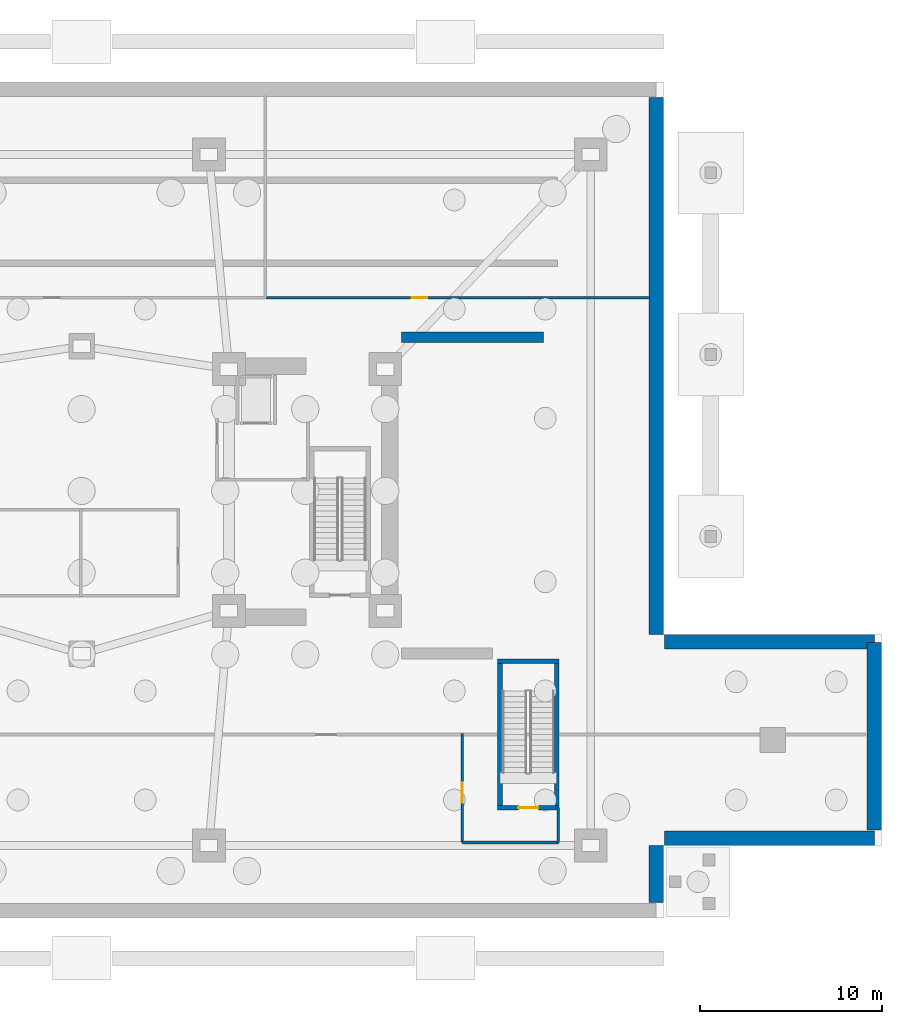
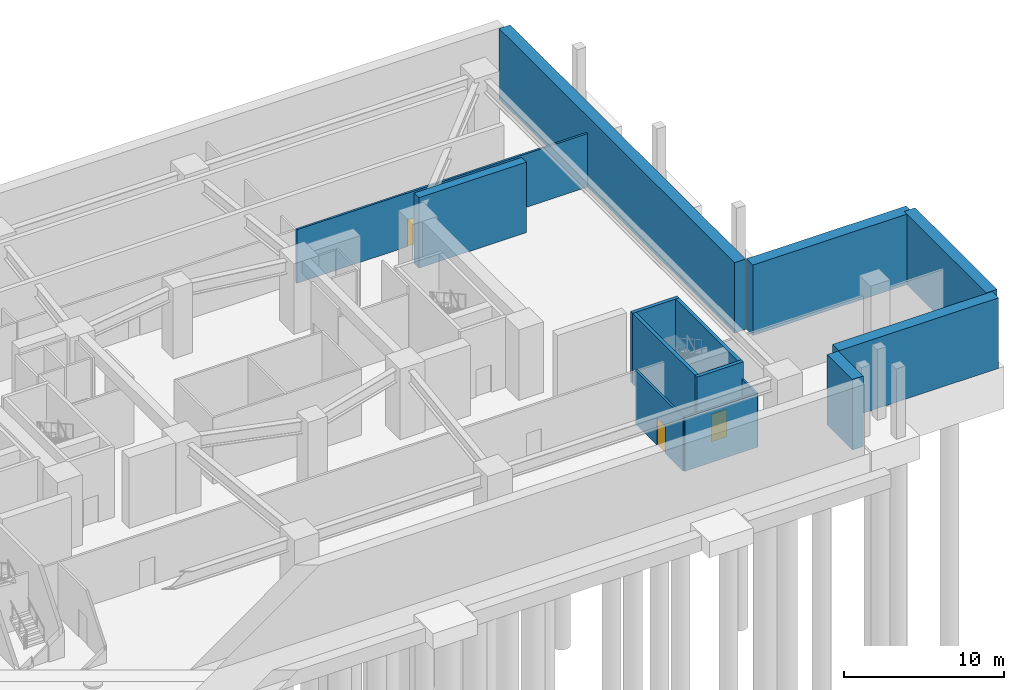
# One storey, part 5 of 9: 14 walls, 3 doors, 3 openings.
"""IFC4 building model written with IfcOpenShell, lengths in metres."""

import ifcopenshell
import ifcopenshell.guid

model = None  # the IFC model being written
_history = None  # IfcOwnerHistory: only IFC2X3 demands one
_inside = {}  # id of a spatial element -> (the spatial element, [elements in it])
_under = {}  # id of a project, library or spatial element -> (it, [spatial elements below it])
_declared = {}  # id of a project -> (the project, [libraries it declares])
_typed = {}  # id of a type object -> (the type object, [elements of that type])
_made_of = {}  # id of a material, layer set ... -> (it, [elements and type objects made of it])


def new_model(schema):
    """Start an empty IFC model of exactly this schema.

    Asked for "IFC4X3", IfcOpenShell would pick the latest addendum, in which some entities
    have other attributes; the version numbers below select the first issue.
    IFC2X3 requires an IfcOwnerHistory on every rooted entity: one is made here for all.
    """
    global model, _history
    if schema == "IFC4X3":
        model = ifcopenshell.file(schema_version=(4, 3, 0, 0))
    else:
        model = ifcopenshell.file(schema=schema)
    _inside.clear()
    _under.clear()
    _declared.clear()
    _typed.clear()
    _made_of.clear()
    _history = None
    if model.schema == "IFC2X3":
        org = make("IfcOrganization", Name="unknown")
        user = make(
            "IfcPersonAndOrganization",
            ThePerson=make("IfcPerson", FamilyName="unknown"),
            TheOrganization=org,
        )
        app = make(
            "IfcApplication",
            ApplicationDeveloper=org,
            Version="unknown",
            ApplicationFullName="unknown",
            ApplicationIdentifier="unknown",
        )
        _history = make(
            "IfcOwnerHistory",
            OwningUser=user,
            OwningApplication=app,
            ChangeAction="ADDED",
            CreationDate=0,
        )
    return model


def make(cls, **values):
    """One entity of the class cls with the attributes given. An attribute that is None is left unset."""
    return model.create_entity(
        cls, **{name: value for name, value in values.items() if value is not None}
    )


def rooted(cls, **values):
    """An entity with a GlobalId (a new one), such as an element, a storey or a relation."""
    return make(cls, GlobalId=ifcopenshell.guid.new(), OwnerHistory=_history, **values)


def si_unit(unit_type, name, prefix=None):
    """IfcSIUnit, for example si_unit("LENGTHUNIT", "METRE", prefix="MILLI")."""
    return make("IfcSIUnit", UnitType=unit_type, Prefix=prefix, Name=name)


def assignment(units):
    """IfcUnitAssignment: the units of a project."""
    return None if units is None else make("IfcUnitAssignment", Units=units)


def point(xyz):
    """IfcCartesianPoint."""
    return None if xyz is None else make("IfcCartesianPoint", Coordinates=xyz)


def direction(xyz):
    """IfcDirection."""
    return None if xyz is None else make("IfcDirection", DirectionRatios=xyz)


def frame(location, z_axis=None, x_axis=None):
    """IfcAxis2Placement3D, a coordinate frame: its origin and axes. An axis left out is left unset."""
    return make(
        "IfcAxis2Placement3D",
        Location=point(location),
        Axis=direction(z_axis),
        RefDirection=direction(x_axis),
    )


def frame_2d(location, x_axis=None):
    """IfcAxis2Placement2D, a coordinate frame in the plane: its origin and x axis."""
    return make(
        "IfcAxis2Placement2D", Location=point(location), RefDirection=direction(x_axis)
    )


def origin():
    """The frame at (0, 0, 0) with its axes left unset."""
    return frame((0.0, 0.0, 0.0))


def place(relative_to, where):
    """IfcLocalPlacement: puts the frame where relative to a parent placement (None: the world)."""
    return make(
        "IfcLocalPlacement", PlacementRelTo=relative_to, RelativePlacement=where
    )


def context(
    kind, dimensions, precision=None, world=None, true_north=None, identifier=None
):
    """IfcGeometricRepresentationContext, for example the 3D "Model" context."""
    return make(
        "IfcGeometricRepresentationContext",
        ContextIdentifier=identifier,
        ContextType=kind,
        CoordinateSpaceDimension=dimensions,
        Precision=precision,
        WorldCoordinateSystem=world,
        TrueNorth=true_north,
    )


def subcontext(parent, identifier, kind, view, scale=None):
    """IfcGeometricRepresentationSubContext, for example "Body" below "Model"."""
    return make(
        "IfcGeometricRepresentationSubContext",
        ContextIdentifier=identifier,
        ContextType=kind,
        ParentContext=parent,
        TargetScale=scale,
        TargetView=view,
    )


def project(units=None, contexts=None):
    """IfcProject with its units and contexts."""
    return rooted(
        "IfcProject",
        Name="project",
        RepresentationContexts=contexts,
        UnitsInContext=assignment(units),
    )


def spatial(cls, under=None, at=None, **own):
    """A site, building, storey or space (cls), placed at a placement, below another one or the project."""
    s = rooted(cls, ObjectPlacement=at, **own)
    if under is not None:
        _under.setdefault(under.id(), (under, []))[1].append(s)
    return s


def profile(cls, at=None, kind="AREA", **sizes):
    """A parametric profile (cls). Its sizes go by their IFC names, for example OverallWidth=200.0."""
    return make(cls, ProfileType=kind, Position=at, **sizes)


def rectangle(**sizes):
    """IfcRectangleProfileDef."""
    return profile("IfcRectangleProfileDef", **sizes)


def extrude(swept, where, along, depth):
    """IfcExtrudedAreaSolid: the profile swept, set in the frame where, extruded along a direction by depth."""
    return make(
        "IfcExtrudedAreaSolid",
        SweptArea=swept,
        Position=where,
        ExtrudedDirection=direction(along),
        Depth=depth,
    )


def shape(context_of_items, identifier, shape_type, items):
    """IfcShapeRepresentation: the items that make up one representation, for example the "Body"."""
    return make(
        "IfcShapeRepresentation",
        ContextOfItems=context_of_items,
        RepresentationIdentifier=identifier,
        RepresentationType=shape_type,
        Items=items,
    )


def material(Name=None, Category=None):
    """IfcMaterial."""
    return make("IfcMaterial", Name=Name, Category=Category)


def layer(
    of_material, thickness, ventilated=None, Name=None, Category=None, Priority=None
):
    """IfcMaterialLayer: one layer of a wall or slab, of a material (None: an air gap)."""
    return make(
        "IfcMaterialLayer",
        Material=of_material,
        LayerThickness=thickness,
        IsVentilated=ventilated,
        Name=Name,
        Category=Category,
        Priority=Priority,
    )


def layer_set(layers, Name=None):
    """IfcMaterialLayerSet."""
    return make("IfcMaterialLayerSet", MaterialLayers=layers, LayerSetName=Name)


def made_of(thing, what):
    """Note that an element or type object is made of a material, layer set ...; save() writes the relation."""
    if what is not None:
        _made_of.setdefault(what.id(), (what, []))[1].append(thing)
    return thing


def type_object(cls, material=None, **own):
    """A type object (cls), such as IfcWallType, which elements share."""
    return made_of(rooted(cls, **own), material)


def element(
    cls,
    number,
    at=None,
    inside=None,
    cuts=None,
    type_object=None,
    material=None,
    context=None,
    identifier="Body",
    shape_type=None,
    held_by="IfcProductDefinitionShape",
    body=None,
    shapes=None,
    **own,
):
    """One element of the class cls, such as IfcWall. Its Tag is "e" and its number.

    at: its placement. inside: the storey or other place that contains it. cuts: it is an
    opening in that element (IfcRelVoidsElement). A single representation is given by context,
    identifier, shape_type and body (its items); several are given by shapes. held_by: the class
    of the entity that holds the representations. save() writes the other relations.
    """
    e = rooted(cls, Tag="e%d" % number, ObjectPlacement=at, **own)
    if body is not None:
        shapes = [shape(context, identifier, shape_type, body)]
    if shapes is not None:
        e.Representation = make(held_by, Representations=shapes)
    if inside is not None:
        _inside.setdefault(inside.id(), (inside, []))[1].append(e)
    if cuts is not None:
        rooted(
            "IfcRelVoidsElement", RelatingBuildingElement=cuts, RelatedOpeningElement=e
        )
    if type_object is not None:
        _typed.setdefault(type_object.id(), (type_object, []))[1].append(e)
    return made_of(e, material)


def fill(opening, filler):
    """IfcRelFillsElement: the door or window that sits in an opening."""
    return rooted(
        "IfcRelFillsElement",
        RelatingOpeningElement=opening,
        RelatedBuildingElement=filler,
    )


def aggregate(whole, parts):
    """IfcRelAggregates: a whole, such as a stair, and the parts it consists of."""
    return rooted("IfcRelAggregates", RelatingObject=whole, RelatedObjects=parts)


def save(model, path):
    """Write the relations noted so far, then the file.

    IfcRelAggregates (storeys below a building ...), IfcRelContainedInSpatialStructure (elements
    in a storey), IfcRelDefinesByType, IfcRelAssociatesMaterial and IfcRelDeclares: one each for
    every whole, place, type object, material and project.
    """
    for whole, parts in _under.values():
        aggregate(whole, parts)
    for where, things in _inside.values():
        rooted(
            "IfcRelContainedInSpatialStructure",
            RelatedElements=things,
            RelatingStructure=where,
        )
    for kind, things in _typed.values():
        rooted("IfcRelDefinesByType", RelatedObjects=things, RelatingType=kind)
    for what, things in _made_of.values():
        rooted("IfcRelAssociatesMaterial", RelatedObjects=things, RelatingMaterial=what)
    for by, libraries in _declared.values():
        rooted("IfcRelDeclares", RelatingContext=by, RelatedDefinitions=libraries)
    model.write(path)


model = new_model("IFC4")

# Units and contexts
model_context = context("Model", 3, precision=1e-05, world=origin(), true_north=direction((0.0, 1.0)))
body_context = subcontext(model_context, "Body", "Model", "MODEL_VIEW")
ifc_project = project(units=[si_unit("LENGTHUNIT", "METRE"), si_unit("AREAUNIT", "SQUARE_METRE"), si_unit("VOLUMEUNIT", "CUBIC_METRE"), si_unit("PLANEANGLEUNIT", "RADIAN"), si_unit("MASSUNIT", "GRAM", prefix="KILO")], contexts=[model_context])

# Site, building, storey
site_placement = place(None, origin())
site = spatial("IfcSite", under=ifc_project, at=site_placement, CompositionType="ELEMENT")
building_placement = place(site_placement, origin())
building = spatial("IfcBuilding", under=site, at=building_placement, Name="Solvane Sanctuary Tower", CompositionType="ELEMENT")
storey_placement = place(building_placement, frame((0.0, 0.0, -10.800048828125)))
storey = spatial("IfcBuildingStorey", under=building, at=storey_placement, Name="B02", CompositionType="ELEMENT", Elevation=-10.800048828125)

# Walls
ifc_material_1 = material(Name="Acoustic Gypsum Partition Board")
ifc_layer_1 = layer(ifc_material_1, 0.14990234375, Name="Acoustic Gypsum Partition Board")
ifc_layer_set_1 = layer_set([ifc_layer_1], Name="Acoustic Gypsum Partition Board")
wall_type_1 = type_object("IfcWallType", Name="Wall W-CORR-150", PredefinedType="PARTITIONING", material=ifc_layer_set_1)
wall_1_placement = place(storey_placement, frame((52.93994140625, 4.159912109375, 0.0), z_axis=(0.0, 0.0, 1.0), x_axis=(1.0, 0.0, 0.0)))
element("IfcWall", 1, at=wall_1_placement, inside=storey, type_object=wall_type_1, Name="B02 ST-5 Vestibule South Wall", PredefinedType="PARTITIONING", context=body_context, shape_type="SweptSolid", body=[
    extrude(rectangle(XDim=5.280029296875, YDim=0.14990234375, at=frame_2d((2.64013671875, 0.0))), origin(), (0.0, 0.0, 1.0), 4.10009765625),
])
wall_2_placement = place(storey_placement, frame((58.219970703125, 4.159912109375, 0.0), z_axis=(0.0, 0.0, 1.0), x_axis=(0.0, 1.0, 0.0)))
element("IfcWall", 2, at=wall_2_placement, inside=storey, type_object=wall_type_1, Name="B02 ST-5 Vestibule East Wall", PredefinedType="PARTITIONING", context=body_context, shape_type="SweptSolid", body=[
    extrude(rectangle(XDim=1.920166015625, YDim=0.14990234375, at=frame_2d((0.9599609375, 0.0))), origin(), (0.0, 0.0, 1.0), 4.10009765625),
])

# Wall, opening, door
wall_3_placement = place(storey_placement, frame((52.93994140625, 4.159912109375, 0.0), z_axis=(0.0, 0.0, 1.0), x_axis=(0.0, 1.0, 0.0)))
wall_3 = element("IfcWall", 3, at=wall_3_placement, inside=storey, type_object=wall_type_1, Name="B02 ST-5 Link West Wall", PredefinedType="PARTITIONING", context=body_context, shape_type="SweptSolid", body=[
    extrude(rectangle(XDim=5.989990234375, YDim=0.14990234375, at=frame_2d((2.9951171875, 0.0))), origin(), (0.0, 0.0, 1.0), 4.10009765625),
])
opening_1_placement = place(wall_3_placement, frame((2.199951171875, 0.0, 0.0)))
opening_1 = element("IfcOpeningElement", 4, at=opening_1_placement, cuts=wall_3, Name="Opening D-B02-09", PredefinedType="OPENING", context=body_context, shape_type="SweptSolid", body=[
    extrude(rectangle(XDim=1.10009765625, YDim=2.10009765625, at=frame_2d((0.550048828125, 1.050048828125))), frame((0.0, 0.0849609375, 0.0), z_axis=(0.0, -1.0, 0.0), x_axis=(1.0, 0.0, 0.0)), (0.0, 0.0, 1.0), 0.169921875),
])
ifc_material_2 = material(Name="Architectural Stainless Steel 316", Category="steel")
door_type_1 = type_object("IfcDoorType", Name="Door D-FFL", OperationType="NOTDEFINED", PredefinedType="DOOR", material=ifc_material_2)
door_1_placement = place(opening_1_placement, origin())
door_1 = element("IfcDoor", 5, at=door_1_placement, inside=storey, type_object=door_type_1, Name="B02 Guideway East Maintenance Door", OperationType="SINGLE_SWING_RIGHT", OverallHeight=2.10009765625, OverallWidth=1.10009765625, PredefinedType="DOOR", context=body_context, shape_type="SweptSolid", body=[
    extrude(rectangle(XDim=1.10009765625, YDim=2.10009765625, at=frame_2d((0.550048828125, 1.050048828125))), frame((0.0, 0.02490234375, 0.0), z_axis=(0.0, -1.0, 0.0), x_axis=(1.0, 0.0, 0.0)), (0.0, 0.0, 1.0), 0.050048828125),
])
fill(opening_1, door_1)

wall_4_placement = place(storey_placement, frame((42.14990234375, 34.1201171875, 0.0), z_axis=(0.0, 0.0, 1.0), x_axis=(1.0, 0.0, 0.0)))
wall_4 = element("IfcWall", 6, at=wall_4_placement, inside=storey, type_object=wall_type_1, Name="B02 Substation Corridor Wall", PredefinedType="PARTITIONING", context=body_context, shape_type="SweptSolid", body=[
    extrude(rectangle(XDim=21.070068359375, YDim=0.14990234375, at=frame_2d((10.53515625, 0.0))), origin(), (0.0, 0.0, 1.0), 4.10009765625),
])
opening_2_placement = place(wall_4_placement, frame((8.0, 0.0, 0.0)))
opening_2 = element("IfcOpeningElement", 7, at=opening_2_placement, cuts=wall_4, Name="Opening D-B02-12", PredefinedType="OPENING", context=body_context, shape_type="SweptSolid", body=[
    extrude(rectangle(XDim=0.85009765625, YDim=2.050048828125, at=frame_2d((0.425048828125, 1.02490234375))), frame((0.0, 0.0849609375, 0.0), z_axis=(0.0, -1.0, 0.0), x_axis=(1.0, 0.0, 0.0)), (0.0, 0.0, 1.0), 0.169921875),
])
door_type_2 = type_object("IfcDoorType", Name="Door D-RISER", OperationType="NOTDEFINED", PredefinedType="DOOR", material=ifc_material_2)
door_2_placement = place(opening_2_placement, origin())
door_2 = element("IfcDoor", 8, at=door_2_placement, inside=storey, type_object=door_type_2, Name="B02 Substation Plant Door", OperationType="SINGLE_SWING_LEFT", OverallHeight=2.050048828125, OverallWidth=0.85009765625, PredefinedType="DOOR", context=body_context, shape_type="SweptSolid", body=[
    extrude(rectangle(XDim=0.85009765625, YDim=2.050048828125, at=frame_2d((0.425048828125, 1.02490234375))), frame((0.0, 0.02490234375, 0.0), z_axis=(0.0, -1.0, 0.0), x_axis=(1.0, 0.0, 0.0)), (0.0, 0.0, 1.0), 0.050048828125),
])
fill(opening_2, door_2)

# Walls
ifc_material_3 = material(Name="Concrete C60/75", Category="concrete")
ifc_layer_2 = layer(ifc_material_3, 0.60009765625, Name="Concrete C60/75")
ifc_layer_set_2 = layer_set([ifc_layer_2], Name="Concrete C60/75")
wall_type_2 = type_object("IfcWallType", Name="Wall W-METRO-600", PredefinedType="SOLIDWALL", material=ifc_layer_set_2)
wall_5_placement = place(storey_placement, frame((49.60009765625, 31.949951171875, 0.0), z_axis=(0.0, 0.0, 1.0), x_axis=(1.0, 0.0, 0.0)))
element("IfcWall", 9, at=wall_5_placement, inside=storey, type_object=wall_type_2, Name="B02 Metro Station Box Wall MN2", PredefinedType="SOLIDWALL", context=body_context, shape_type="SweptSolid", body=[
    extrude(rectangle(XDim=7.7998046875, YDim=0.60009765625, at=frame_2d((3.89990234375, 0.0))), origin(), (0.0, 0.0, 1.0), 5.400146484375),
])
ifc_layer_3 = layer(ifc_material_3, 0.800048828125, Name="Concrete C60/75")
ifc_layer_set_3 = layer_set([ifc_layer_3], Name="Concrete C60/75")
wall_type_3 = type_object("IfcWallType", Name="Wall W-RET-800", PredefinedType="USERDEFINED", material=ifc_layer_set_3)
wall_6_placement = place(storey_placement, frame((63.60009765625, 0.85009765625, 0.0), z_axis=(0.0, 0.0, 1.0), x_axis=(0.0, 1.0, 0.0)))
element("IfcWall", 10, at=wall_6_placement, inside=storey, type_object=wall_type_3, Name="B02 Perimeter Retaining Wall ES1", ObjectType="RETAININGWALL", PredefinedType="USERDEFINED", context=body_context, shape_type="SweptSolid", body=[
    extrude(rectangle(XDim=3.14990234375, YDim=0.800048828125, at=frame_2d((1.574951171875, 0.0))), origin(), (0.0, 0.0, 1.0), 5.400146484375),
])
wall_7_placement = place(storey_placement, frame((64.050048828125, 4.39990234375, 0.0), z_axis=(0.0, 0.0, 1.0), x_axis=(1.0, 0.0, 0.0)))
element("IfcWall", 11, at=wall_7_placement, inside=storey, type_object=wall_type_3, Name="B02 Perimeter Retaining Wall MES", ObjectType="RETAININGWALL", PredefinedType="USERDEFINED", context=body_context, shape_type="SweptSolid", body=[
    extrude(rectangle(XDim=11.550048828125, YDim=0.800048828125, at=frame_2d((5.77490234375, 0.0))), origin(), (0.0, 0.0, 1.0), 5.400146484375),
])
wall_8_placement = place(storey_placement, frame((75.60009765625, 4.85009765625, 0.0), z_axis=(0.0, 0.0, 1.0), x_axis=(0.0, 1.0, 0.0)))
element("IfcWall", 12, at=wall_8_placement, inside=storey, type_object=wall_type_3, Name="B02 Perimeter Retaining Wall MEE", ObjectType="RETAININGWALL", PredefinedType="USERDEFINED", context=body_context, shape_type="SweptSolid", body=[
    extrude(rectangle(XDim=10.2998046875, YDim=0.800048828125, at=frame_2d((5.14990234375, 0.0))), origin(), (0.0, 0.0, 1.0), 5.400146484375),
])
wall_9_placement = place(storey_placement, frame((75.60009765625, 15.199951171875, 0.0), z_axis=(0.0, 0.0, 1.0), x_axis=(-1.0, 0.0, 0.0)))
element("IfcWall", 13, at=wall_9_placement, inside=storey, type_object=wall_type_3, Name="B02 Perimeter Retaining Wall MEN", ObjectType="RETAININGWALL", PredefinedType="USERDEFINED", context=body_context, shape_type="SweptSolid", body=[
    extrude(rectangle(XDim=11.550048828125, YDim=0.800048828125, at=frame_2d((5.77490234375, 0.0))), origin(), (0.0, 0.0, 1.0), 5.400146484375),
])
wall_10_placement = place(storey_placement, frame((63.60009765625, 15.60009765625, 0.0), z_axis=(0.0, 0.0, 1.0), x_axis=(0.0, 1.0, 0.0)))
element("IfcWall", 14, at=wall_10_placement, inside=storey, type_object=wall_type_3, Name="B02 Perimeter Retaining Wall EN2", ObjectType="RETAININGWALL", PredefinedType="USERDEFINED", context=body_context, shape_type="SweptSolid", body=[
    extrude(rectangle(XDim=29.5498046875, YDim=0.800048828125, at=frame_2d((14.77490234375, 0.0))), origin(), (0.0, 0.0, 1.0), 5.400146484375),
])

# Wall, opening, door
ifc_material_4 = material(Name="Concrete C50/60", Category="concrete")
ifc_layer_4 = layer(ifc_material_4, 0.25, Name="Concrete C50/60")
ifc_layer_set_4 = layer_set([ifc_layer_4], Name="Concrete C50/60")
wall_type_4 = type_object("IfcWallType", Name="Wall W-SHAFT-250", PredefinedType="SOLIDWALL", material=ifc_layer_set_4)
wall_11_placement = place(storey_placement, frame((54.885009765625, 6.070068359375, 0.0), z_axis=(0.0, 0.0, 1.0), x_axis=(1.0, 0.0, 0.0)))
wall_11 = element("IfcWall", 15, at=wall_11_placement, inside=storey, type_object=wall_type_4, Name="B02 ST-5 Load-Bearing Shaft Wall S", PredefinedType="SOLIDWALL", context=body_context, shape_type="SweptSolid", body=[
    extrude(rectangle(XDim=3.369873046875, YDim=0.25, at=frame_2d((1.68505859375, 0.0))), origin(), (0.0, 0.0, 1.0), 5.400146484375),
])
opening_3_placement = place(wall_11_placement, frame((1.135009765625, 0.0, 0.0)))
opening_3 = element("IfcOpeningElement", 16, at=opening_3_placement, cuts=wall_11, Name="Opening D-B02-05", PredefinedType="OPENING", context=body_context, shape_type="SweptSolid", body=[
    extrude(rectangle(XDim=1.10009765625, YDim=2.10009765625, at=frame_2d((0.550048828125, 1.050048828125))), frame((0.0, 0.135009765625, 0.0), z_axis=(0.0, -1.0, 0.0), x_axis=(1.0, 0.0, 0.0)), (0.0, 0.0, 1.0), 0.27001953125),
])
door_type_3 = type_object("IfcDoorType", Name="Door D-STAIR", OperationType="NOTDEFINED", PredefinedType="DOOR", material=ifc_material_2)
door_3_placement = place(opening_3_placement, origin())
door_3 = element("IfcDoor", 17, at=door_3_placement, inside=storey, type_object=door_type_3, Name="B02 ST-5 Exit Stair Fire Door", OperationType="SINGLE_SWING_LEFT", OverallHeight=2.10009765625, OverallWidth=1.10009765625, PredefinedType="DOOR", context=body_context, shape_type="SweptSolid", body=[
    extrude(rectangle(XDim=1.10009765625, YDim=2.10009765625, at=frame_2d((0.550048828125, 1.050048828125))), frame((0.0, 0.02490234375, 0.0), z_axis=(0.0, -1.0, 0.0), x_axis=(1.0, 0.0, 0.0)), (0.0, 0.0, 1.0), 0.050048828125),
])
fill(opening_3, door_3)

# Walls
wall_12_placement = place(storey_placement, frame((54.885009765625, 14.1298828125, 0.0), z_axis=(0.0, 0.0, 1.0), x_axis=(1.0, 0.0, 0.0)))
element("IfcWall", 18, at=wall_12_placement, inside=storey, type_object=wall_type_4, Name="B02 ST-5 Load-Bearing Shaft Wall N", PredefinedType="SOLIDWALL", context=body_context, shape_type="SweptSolid", body=[
    extrude(rectangle(XDim=3.369873046875, YDim=0.25, at=frame_2d((1.68505859375, 0.0))), origin(), (0.0, 0.0, 1.0), 5.400146484375),
])
for number, where, z_axis, x_axis, name in (
    (19, (55.010009765625, 6.195068359375, 0.0), (0.0, 0.0, 1.0), (0.0, 1.0, 0.0), "B02 ST-5 Load-Bearing Shaft Wall W"),
    (20, (58.1298828125, 6.195068359375, 0.0), (0.0, 0.0, 1.0), (0.0, 1.0, 0.0), "B02 ST-5 Load-Bearing Shaft Wall E"),
):
    element("IfcWall", number, at=place(storey_placement, frame(where, z_axis=z_axis, x_axis=x_axis)), inside=storey, type_object=wall_type_4, Name=name, PredefinedType="SOLIDWALL", context=body_context, shape_type="SweptSolid", body=[
        extrude(rectangle(XDim=7.809814453125, YDim=0.25, at=frame_2d((3.90478515625, 0.0))), origin(), (0.0, 0.0, 1.0), 5.400146484375),
    ])

save(model, "model.ifc")
